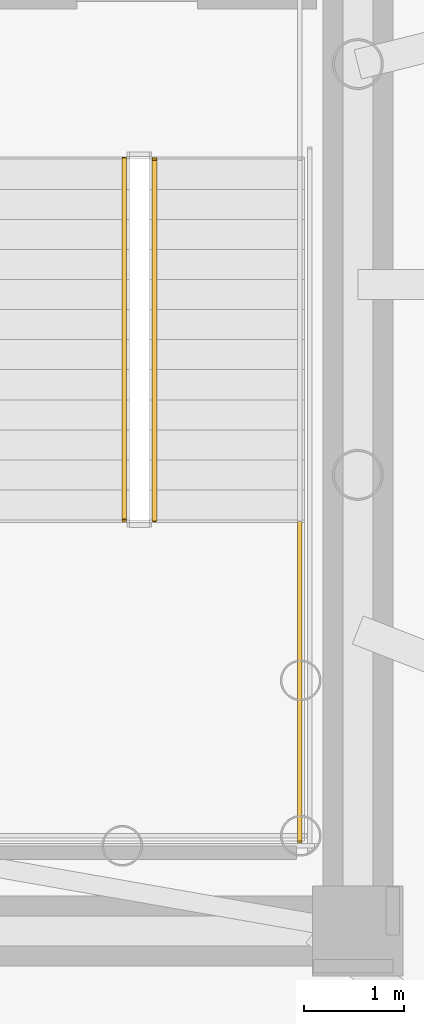
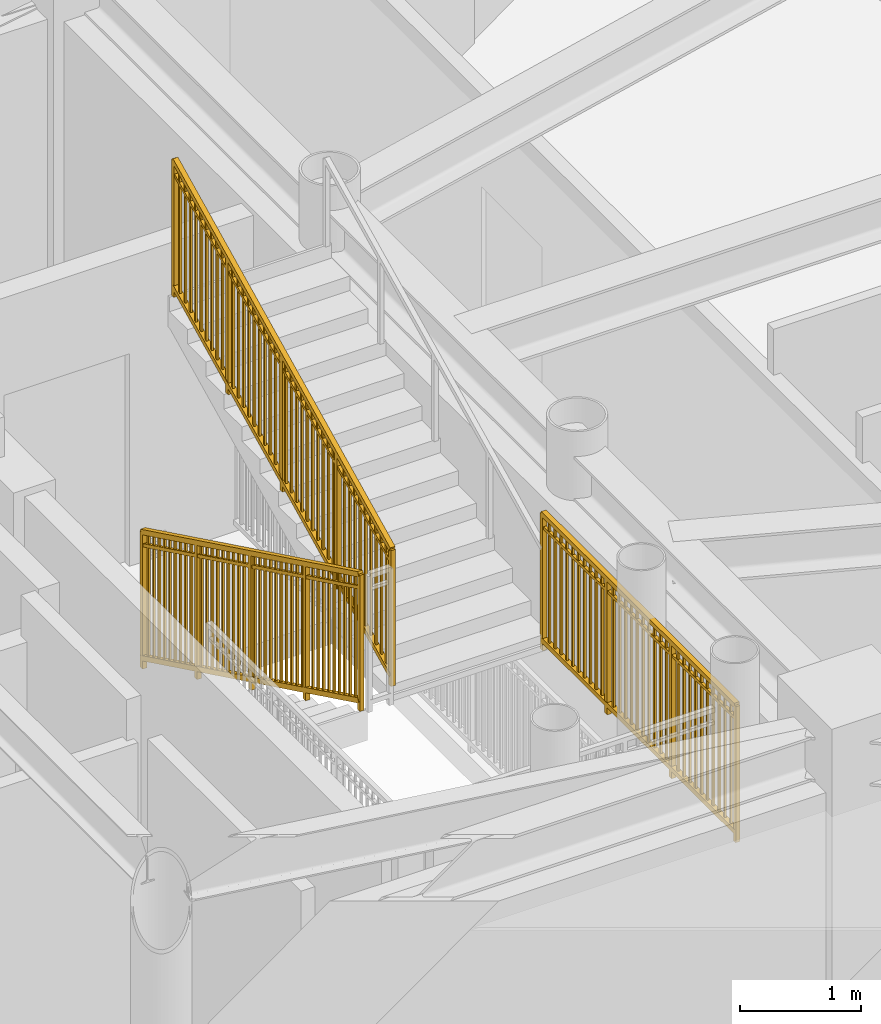
# One storey, part 13 of 17: 3 railings.
"""IFC4 building model written with IfcOpenShell, lengths in metres."""

from ifc_helpers import new_model, si_unit, direction, frame, origin, origin_2d, place, context, subcontext, project, spatial, rectangle, extrude, source, transform, mapped, material, type_object, element, save


model = new_model("IFC4")

# Units and contexts
model_context = context("Model", 3, precision=1e-05, world=origin(), true_north=direction((0.0, 1.0)))
body_context = subcontext(model_context, "Body", "Model", "MODEL_VIEW")
ifc_project = project(units=[si_unit("LENGTHUNIT", "METRE"), si_unit("AREAUNIT", "SQUARE_METRE"), si_unit("VOLUMEUNIT", "CUBIC_METRE"), si_unit("PLANEANGLEUNIT", "RADIAN"), si_unit("MASSUNIT", "GRAM", prefix="KILO")], contexts=[model_context])

# Site, building, storey
site_placement = place(None, origin())
site = spatial("IfcSite", under=ifc_project, at=site_placement, CompositionType="ELEMENT")
building_placement = place(site_placement, origin())
building = spatial("IfcBuilding", under=site, at=building_placement, Name="Linh Dai School and Residence Tower", CompositionType="ELEMENT")
storey_placement = place(building_placement, frame((0.0, 0.0, 327.800048828125)))
storey = spatial("IfcBuildingStorey", under=building, at=storey_placement, Name="L81", CompositionType="ELEMENT", Elevation=327.800048828125)

# Railings
ifc_material = material(Name="Structural Steel S355JR", Category="steel")
railing_type = type_object("IfcRailingType", Name="RL-ST-GUARD-1400", PredefinedType="GUARDRAIL", material=ifc_material)
shared_shape_1 = source(origin(), body_context, "Body", "SweptSolid", [
    extrude(rectangle(XDim=0.048095703125, YDim=0.048095703125, at=origin_2d()), frame((0.0, 0.0, 1.3759765625), z_axis=(0.0, -0.898988637874, 0.437971949985), x_axis=(1.0, 0.0, 0.0)), (0.0, 0.0, 1.0), 4.004638671875),
    extrude(rectangle(XDim=0.048095703125, YDim=0.048095703125, at=origin_2d()), frame((0.0, 0.0, 0.10009765625), z_axis=(0.0, -0.898988637874, 0.437971949985), x_axis=(1.0, 0.0, 0.0)), (0.0, 0.0, 1.0), 4.004638671875),
    extrude(rectangle(XDim=0.030029296875, YDim=0.030029296875, at=origin_2d()), frame((0.0, 0.0, 1.239990234375), z_axis=(0.0, -0.898988637874, 0.437971949985), x_axis=(1.0, 0.0, 0.0)), (0.0, 0.0, 1.0), 4.004638671875),
    extrude(rectangle(XDim=0.02001953125, YDim=0.02001953125, at=origin_2d()), frame((0.0, -0.087890625, 0.142822265625)), (0.0, 0.0, 1.0), 1.251708984375),
    extrude(rectangle(XDim=0.02001953125, YDim=0.02001953125, at=origin_2d()), frame((0.0, -0.175537109375, 0.185546875)), (0.0, 0.0, 1.0), 1.251708984375),
    extrude(rectangle(XDim=0.02001953125, YDim=0.02001953125, at=origin_2d()), frame((0.0, -0.263427734375, 0.228515625)), (0.0, 0.0, 1.0), 1.251708984375),
    extrude(rectangle(XDim=0.02001953125, YDim=0.02001953125, at=origin_2d()), frame((0.0, -0.351318359375, 0.271240234375)), (0.0, 0.0, 1.0), 1.251708984375),
    extrude(rectangle(XDim=0.02001953125, YDim=0.02001953125, at=origin_2d()), frame((0.0, -0.43896484375, 0.31396484375)), (0.0, 0.0, 1.0), 1.251708984375),
    extrude(rectangle(XDim=0.02001953125, YDim=0.02001953125, at=origin_2d()), frame((0.0, -0.52685546875, 0.356689453125)), (0.0, 0.0, 1.0), 1.251708984375),
    extrude(rectangle(XDim=0.02001953125, YDim=0.02001953125, at=origin_2d()), frame((0.0, -0.61474609375, 0.399658203125)), (0.0, 0.0, 1.0), 1.251708984375),
    extrude(rectangle(XDim=0.02001953125, YDim=0.02001953125, at=origin_2d()), frame((0.0, -0.702392578125, 0.4423828125)), (0.0, 0.0, 1.0), 1.251708984375),
    extrude(rectangle(XDim=0.02001953125, YDim=0.02001953125, at=origin_2d()), frame((0.0, -0.790283203125, 0.485107421875)), (0.0, 0.0, 1.0), 1.251708984375),
    extrude(rectangle(XDim=0.02001953125, YDim=0.02001953125, at=origin_2d()), frame((0.0, -0.9658203125, 0.570556640625)), (0.0, 0.0, 1.0), 1.251708984375),
    extrude(rectangle(XDim=0.02001953125, YDim=0.02001953125, at=origin_2d()), frame((0.0, -1.0537109375, 0.613525390625)), (0.0, 0.0, 1.0), 1.251708984375),
    extrude(rectangle(XDim=0.02001953125, YDim=0.02001953125, at=origin_2d()), frame((0.0, -1.1416015625, 0.65625)), (0.0, 0.0, 1.0), 1.251708984375),
    extrude(rectangle(XDim=0.02001953125, YDim=0.02001953125, at=origin_2d()), frame((0.0, -1.229248046875, 0.698974609375)), (0.0, 0.0, 1.0), 1.251708984375),
    extrude(rectangle(XDim=0.02001953125, YDim=0.02001953125, at=origin_2d()), frame((0.0, -1.317138671875, 0.74169921875)), (0.0, 0.0, 1.0), 1.251708984375),
    extrude(rectangle(XDim=0.02001953125, YDim=0.02001953125, at=origin_2d()), frame((0.0, -1.405029296875, 0.78466796875)), (0.0, 0.0, 1.0), 1.251708984375),
    extrude(rectangle(XDim=0.02001953125, YDim=0.02001953125, at=origin_2d()), frame((0.0, -1.49267578125, 0.827392578125)), (0.0, 0.0, 1.0), 1.251708984375),
    extrude(rectangle(XDim=0.02001953125, YDim=0.02001953125, at=origin_2d()), frame((0.0, -1.58056640625, 0.8701171875)), (0.0, 0.0, 1.0), 1.251708984375),
    extrude(rectangle(XDim=0.02001953125, YDim=0.02001953125, at=origin_2d()), frame((0.0, -1.66845703125, 0.912841796875)), (0.0, 0.0, 1.0), 1.251708984375),
    extrude(rectangle(XDim=0.02001953125, YDim=0.02001953125, at=origin_2d()), frame((0.0, -1.756103515625, 0.95556640625)), (0.0, 0.0, 1.0), 1.251708984375),
    extrude(rectangle(XDim=0.02001953125, YDim=0.02001953125, at=origin_2d()), frame((0.0, -1.843994140625, 0.99853515625)), (0.0, 0.0, 1.0), 1.251708984375),
    extrude(rectangle(XDim=0.02001953125, YDim=0.02001953125, at=origin_2d()), frame((0.0, -1.931640625, 1.041259765625)), (0.0, 0.0, 1.0), 1.251708984375),
    extrude(rectangle(XDim=0.02001953125, YDim=0.02001953125, at=origin_2d()), frame((0.0, -2.01953125, 1.083984375)), (0.0, 0.0, 1.0), 1.251708984375),
    extrude(rectangle(XDim=0.02001953125, YDim=0.02001953125, at=origin_2d()), frame((0.0, -2.107421875, 1.126708984375)), (0.0, 0.0, 1.0), 1.251708984375),
    extrude(rectangle(XDim=0.02001953125, YDim=0.02001953125, at=origin_2d()), frame((0.0, -2.195068359375, 1.16943359375)), (0.0, 0.0, 1.0), 1.251708984375),
    extrude(rectangle(XDim=0.02001953125, YDim=0.02001953125, at=origin_2d()), frame((0.0, -2.282958984375, 1.21240234375)), (0.0, 0.0, 1.0), 1.251708984375),
    extrude(rectangle(XDim=0.02001953125, YDim=0.02001953125, at=origin_2d()), frame((0.0, -2.370849609375, 1.255126953125)), (0.0, 0.0, 1.0), 1.251708984375),
    extrude(rectangle(XDim=0.02001953125, YDim=0.02001953125, at=origin_2d()), frame((0.0, -2.45849609375, 1.2978515625)), (0.0, 0.0, 1.0), 1.251708984375),
    extrude(rectangle(XDim=0.02001953125, YDim=0.02001953125, at=origin_2d()), frame((0.0, -2.54638671875, 1.340576171875)), (0.0, 0.0, 1.0), 1.251708984375),
    extrude(rectangle(XDim=0.02001953125, YDim=0.02001953125, at=origin_2d()), frame((0.0, -2.63427734375, 1.383544921875)), (0.0, 0.0, 1.0), 1.251708984375),
    extrude(rectangle(XDim=0.02001953125, YDim=0.02001953125, at=origin_2d()), frame((0.0, -2.809814453125, 1.468994140625)), (0.0, 0.0, 1.0), 1.251708984375),
    extrude(rectangle(XDim=0.02001953125, YDim=0.02001953125, at=origin_2d()), frame((0.0, -2.897705078125, 1.51171875)), (0.0, 0.0, 1.0), 1.251708984375),
    extrude(rectangle(XDim=0.02001953125, YDim=0.02001953125, at=origin_2d()), frame((0.0, -2.9853515625, 1.554443359375)), (0.0, 0.0, 1.0), 1.251708984375),
    extrude(rectangle(XDim=0.02001953125, YDim=0.02001953125, at=origin_2d()), frame((0.0, -3.0732421875, 1.597412109375)), (0.0, 0.0, 1.0), 1.251708984375),
    extrude(rectangle(XDim=0.02001953125, YDim=0.02001953125, at=origin_2d()), frame((0.0, -3.1611328125, 1.64013671875)), (0.0, 0.0, 1.0), 1.251708984375),
    extrude(rectangle(XDim=0.02001953125, YDim=0.02001953125, at=origin_2d()), frame((0.0, -3.248779296875, 1.682861328125)), (0.0, 0.0, 1.0), 1.251708984375),
    extrude(rectangle(XDim=0.02001953125, YDim=0.02001953125, at=origin_2d()), frame((0.0, -3.336669921875, 1.7255859375)), (0.0, 0.0, 1.0), 1.251708984375),
    extrude(rectangle(XDim=0.02001953125, YDim=0.02001953125, at=origin_2d()), frame((0.0, -3.424560546875, 1.7685546875)), (0.0, 0.0, 1.0), 1.251708984375),
    extrude(rectangle(XDim=0.02001953125, YDim=0.02001953125, at=origin_2d()), frame((0.0, -3.51220703125, 1.811279296875)), (0.0, 0.0, 1.0), 1.251708984375),
    extrude(rectangle(XDim=0.0419921875, YDim=0.0419921875, at=origin_2d()), origin(), (0.0, 0.0, 1.0), 1.3759765625),
    extrude(rectangle(XDim=0.0419921875, YDim=0.0419921875, at=origin_2d()), frame((0.0, -0.89990234375, 0.4384765625)), (0.0, 0.0, 1.0), 1.3759765625),
    extrude(rectangle(XDim=0.0419921875, YDim=0.0419921875, at=origin_2d()), frame((0.0, -1.800048828125, 0.876953125)), (0.0, 0.0, 1.0), 1.3759765625),
    extrude(rectangle(XDim=0.0419921875, YDim=0.0419921875, at=origin_2d()), frame((0.0, -2.7001953125, 1.3154296875)), (0.0, 0.0, 1.0), 1.3759765625),
    extrude(rectangle(XDim=0.0419921875, YDim=0.0419921875, at=origin_2d()), frame((0.0, -3.60009765625, 1.75390625)), (0.0, 0.0, 1.0), 1.3759765625),
])
railing_1_placement = place(storey_placement, frame((42.52001953125, 28.25, 0.14599609375)))
element("IfcRailing", 1, at=railing_1_placement, inside=storey, type_object=railing_type, Name="L81 ST2 stair guard 1", PredefinedType="GUARDRAIL", context=body_context, shape_type="MappedRepresentation", body=[
    mapped(shared_shape_1, transform((0.0, 0.0, 0.0), x_axis=(1.0, 0.0, 0.0), y_axis=(0.0, 1.0, 0.0), z_axis=(0.0, 0.0, 1.0), scale=1.0)),
])
shared_shape_2 = source(origin(), body_context, "Body", "SweptSolid", [
    extrude(rectangle(XDim=0.048095703125, YDim=0.048095703125, at=origin_2d()), frame((0.0, 0.0, 1.3759765625), z_axis=(0.0, 0.898988637874, 0.437971949985), x_axis=(-1.0, 0.0, 0.0)), (0.0, 0.0, 1.0), 4.004638671875),
    extrude(rectangle(XDim=0.048095703125, YDim=0.048095703125, at=origin_2d()), frame((0.0, 0.0, 0.10009765625), z_axis=(0.0, 0.898988637874, 0.437971949985), x_axis=(-1.0, 0.0, 0.0)), (0.0, 0.0, 1.0), 4.004638671875),
    extrude(rectangle(XDim=0.030029296875, YDim=0.030029296875, at=origin_2d()), frame((0.0, 0.0, 1.239990234375), z_axis=(0.0, 0.898988637874, 0.437971949985), x_axis=(-1.0, 0.0, 0.0)), (0.0, 0.0, 1.0), 4.004638671875),
    extrude(rectangle(XDim=0.02001953125, YDim=0.02001953125, at=origin_2d()), frame((0.0, 0.087890625, 0.142822265625)), (0.0, 0.0, 1.0), 1.251708984375),
    extrude(rectangle(XDim=0.02001953125, YDim=0.02001953125, at=origin_2d()), frame((0.0, 0.175537109375, 0.185546875)), (0.0, 0.0, 1.0), 1.251708984375),
    extrude(rectangle(XDim=0.02001953125, YDim=0.02001953125, at=origin_2d()), frame((0.0, 0.263427734375, 0.228515625)), (0.0, 0.0, 1.0), 1.251708984375),
    extrude(rectangle(XDim=0.02001953125, YDim=0.02001953125, at=origin_2d()), frame((0.0, 0.351318359375, 0.271240234375)), (0.0, 0.0, 1.0), 1.251708984375),
    extrude(rectangle(XDim=0.02001953125, YDim=0.02001953125, at=origin_2d()), frame((0.0, 0.43896484375, 0.31396484375)), (0.0, 0.0, 1.0), 1.251708984375),
    extrude(rectangle(XDim=0.02001953125, YDim=0.02001953125, at=origin_2d()), frame((0.0, 0.52685546875, 0.356689453125)), (0.0, 0.0, 1.0), 1.251708984375),
    extrude(rectangle(XDim=0.02001953125, YDim=0.02001953125, at=origin_2d()), frame((0.0, 0.61474609375, 0.399658203125)), (0.0, 0.0, 1.0), 1.251708984375),
    extrude(rectangle(XDim=0.02001953125, YDim=0.02001953125, at=origin_2d()), frame((0.0, 0.702392578125, 0.4423828125)), (0.0, 0.0, 1.0), 1.251708984375),
    extrude(rectangle(XDim=0.02001953125, YDim=0.02001953125, at=origin_2d()), frame((0.0, 0.790283203125, 0.485107421875)), (0.0, 0.0, 1.0), 1.251708984375),
    extrude(rectangle(XDim=0.02001953125, YDim=0.02001953125, at=origin_2d()), frame((0.0, 0.9658203125, 0.570556640625)), (0.0, 0.0, 1.0), 1.251708984375),
    extrude(rectangle(XDim=0.02001953125, YDim=0.02001953125, at=origin_2d()), frame((0.0, 1.0537109375, 0.613525390625)), (0.0, 0.0, 1.0), 1.251708984375),
    extrude(rectangle(XDim=0.02001953125, YDim=0.02001953125, at=origin_2d()), frame((0.0, 1.1416015625, 0.65625)), (0.0, 0.0, 1.0), 1.251708984375),
    extrude(rectangle(XDim=0.02001953125, YDim=0.02001953125, at=origin_2d()), frame((0.0, 1.229248046875, 0.698974609375)), (0.0, 0.0, 1.0), 1.251708984375),
    extrude(rectangle(XDim=0.02001953125, YDim=0.02001953125, at=origin_2d()), frame((0.0, 1.317138671875, 0.74169921875)), (0.0, 0.0, 1.0), 1.251708984375),
    extrude(rectangle(XDim=0.02001953125, YDim=0.02001953125, at=origin_2d()), frame((0.0, 1.405029296875, 0.78466796875)), (0.0, 0.0, 1.0), 1.251708984375),
    extrude(rectangle(XDim=0.02001953125, YDim=0.02001953125, at=origin_2d()), frame((0.0, 1.49267578125, 0.827392578125)), (0.0, 0.0, 1.0), 1.251708984375),
    extrude(rectangle(XDim=0.02001953125, YDim=0.02001953125, at=origin_2d()), frame((0.0, 1.58056640625, 0.8701171875)), (0.0, 0.0, 1.0), 1.251708984375),
    extrude(rectangle(XDim=0.02001953125, YDim=0.02001953125, at=origin_2d()), frame((0.0, 1.66845703125, 0.912841796875)), (0.0, 0.0, 1.0), 1.251708984375),
    extrude(rectangle(XDim=0.02001953125, YDim=0.02001953125, at=origin_2d()), frame((0.0, 1.756103515625, 0.95556640625)), (0.0, 0.0, 1.0), 1.251708984375),
    extrude(rectangle(XDim=0.02001953125, YDim=0.02001953125, at=origin_2d()), frame((0.0, 1.843994140625, 0.99853515625)), (0.0, 0.0, 1.0), 1.251708984375),
    extrude(rectangle(XDim=0.02001953125, YDim=0.02001953125, at=origin_2d()), frame((0.0, 1.931640625, 1.041259765625)), (0.0, 0.0, 1.0), 1.251708984375),
    extrude(rectangle(XDim=0.02001953125, YDim=0.02001953125, at=origin_2d()), frame((0.0, 2.01953125, 1.083984375)), (0.0, 0.0, 1.0), 1.251708984375),
    extrude(rectangle(XDim=0.02001953125, YDim=0.02001953125, at=origin_2d()), frame((0.0, 2.107421875, 1.126708984375)), (0.0, 0.0, 1.0), 1.251708984375),
    extrude(rectangle(XDim=0.02001953125, YDim=0.02001953125, at=origin_2d()), frame((0.0, 2.195068359375, 1.16943359375)), (0.0, 0.0, 1.0), 1.251708984375),
    extrude(rectangle(XDim=0.02001953125, YDim=0.02001953125, at=origin_2d()), frame((0.0, 2.282958984375, 1.21240234375)), (0.0, 0.0, 1.0), 1.251708984375),
    extrude(rectangle(XDim=0.02001953125, YDim=0.02001953125, at=origin_2d()), frame((0.0, 2.370849609375, 1.255126953125)), (0.0, 0.0, 1.0), 1.251708984375),
    extrude(rectangle(XDim=0.02001953125, YDim=0.02001953125, at=origin_2d()), frame((0.0, 2.45849609375, 1.2978515625)), (0.0, 0.0, 1.0), 1.251708984375),
    extrude(rectangle(XDim=0.02001953125, YDim=0.02001953125, at=origin_2d()), frame((0.0, 2.54638671875, 1.340576171875)), (0.0, 0.0, 1.0), 1.251708984375),
    extrude(rectangle(XDim=0.02001953125, YDim=0.02001953125, at=origin_2d()), frame((0.0, 2.63427734375, 1.383544921875)), (0.0, 0.0, 1.0), 1.251708984375),
    extrude(rectangle(XDim=0.02001953125, YDim=0.02001953125, at=origin_2d()), frame((0.0, 2.809814453125, 1.468994140625)), (0.0, 0.0, 1.0), 1.251708984375),
    extrude(rectangle(XDim=0.02001953125, YDim=0.02001953125, at=origin_2d()), frame((0.0, 2.897705078125, 1.51171875)), (0.0, 0.0, 1.0), 1.251708984375),
    extrude(rectangle(XDim=0.02001953125, YDim=0.02001953125, at=origin_2d()), frame((0.0, 2.9853515625, 1.554443359375)), (0.0, 0.0, 1.0), 1.251708984375),
    extrude(rectangle(XDim=0.02001953125, YDim=0.02001953125, at=origin_2d()), frame((0.0, 3.0732421875, 1.597412109375)), (0.0, 0.0, 1.0), 1.251708984375),
    extrude(rectangle(XDim=0.02001953125, YDim=0.02001953125, at=origin_2d()), frame((0.0, 3.1611328125, 1.64013671875)), (0.0, 0.0, 1.0), 1.251708984375),
    extrude(rectangle(XDim=0.02001953125, YDim=0.02001953125, at=origin_2d()), frame((0.0, 3.248779296875, 1.682861328125)), (0.0, 0.0, 1.0), 1.251708984375),
    extrude(rectangle(XDim=0.02001953125, YDim=0.02001953125, at=origin_2d()), frame((0.0, 3.336669921875, 1.7255859375)), (0.0, 0.0, 1.0), 1.251708984375),
    extrude(rectangle(XDim=0.02001953125, YDim=0.02001953125, at=origin_2d()), frame((0.0, 3.424560546875, 1.7685546875)), (0.0, 0.0, 1.0), 1.251708984375),
    extrude(rectangle(XDim=0.02001953125, YDim=0.02001953125, at=origin_2d()), frame((0.0, 3.51220703125, 1.811279296875)), (0.0, 0.0, 1.0), 1.251708984375),
    extrude(rectangle(XDim=0.0419921875, YDim=0.0419921875, at=origin_2d()), origin(), (0.0, 0.0, 1.0), 1.3759765625),
    extrude(rectangle(XDim=0.0419921875, YDim=0.0419921875, at=origin_2d()), frame((0.0, 0.89990234375, 0.4384765625)), (0.0, 0.0, 1.0), 1.3759765625),
    extrude(rectangle(XDim=0.0419921875, YDim=0.0419921875, at=origin_2d()), frame((0.0, 1.800048828125, 0.876953125)), (0.0, 0.0, 1.0), 1.3759765625),
    extrude(rectangle(XDim=0.0419921875, YDim=0.0419921875, at=origin_2d()), frame((0.0, 2.7001953125, 1.3154296875)), (0.0, 0.0, 1.0), 1.3759765625),
    extrude(rectangle(XDim=0.0419921875, YDim=0.0419921875, at=origin_2d()), frame((0.0, 3.60009765625, 1.75390625)), (0.0, 0.0, 1.0), 1.3759765625),
])
railing_2_placement = place(storey_placement, frame((42.820068359375, 24.64990234375, 2.046142578125)))
element("IfcRailing", 2, at=railing_2_placement, inside=storey, type_object=railing_type, Name="L81 ST2 stair guard 6", PredefinedType="GUARDRAIL", context=body_context, shape_type="MappedRepresentation", body=[
    mapped(shared_shape_2, transform((0.0, 0.0, 0.0), x_axis=(1.0, 0.0, 0.0), y_axis=(0.0, 1.0, 0.0), z_axis=(0.0, 0.0, 1.0), scale=1.0)),
])
shared_shape_3 = source(origin(), body_context, "Body", "SweptSolid", [
    extrude(rectangle(XDim=0.048095703125, YDim=0.048095703125, at=origin_2d()), frame((0.0, 0.0, 1.3759765625), z_axis=(0.0, -1.0, 0.0), x_axis=(1.0, 0.0, 0.0)), (0.0, 0.0, 1.0), 3.199951171875),
    extrude(rectangle(XDim=0.048095703125, YDim=0.048095703125, at=origin_2d()), frame((0.0, 0.0, 0.10009765625), z_axis=(0.0, -1.0, 0.0), x_axis=(1.0, 0.0, 0.0)), (0.0, 0.0, 1.0), 3.199951171875),
    extrude(rectangle(XDim=0.030029296875, YDim=0.030029296875, at=origin_2d()), frame((0.0, 0.0, 1.239990234375), z_axis=(0.0, -1.0, 0.0), x_axis=(1.0, 0.0, 0.0)), (0.0, 0.0, 1.0), 3.199951171875),
    extrude(rectangle(XDim=0.02001953125, YDim=0.02001953125, at=origin_2d()), frame((0.0, -0.096923828125, 0.10009765625)), (0.0, 0.0, 1.0), 1.251708984375),
    extrude(rectangle(XDim=0.02001953125, YDim=0.02001953125, at=origin_2d()), frame((0.0, -0.19384765625, 0.10009765625)), (0.0, 0.0, 1.0), 1.251708984375),
    extrude(rectangle(XDim=0.02001953125, YDim=0.02001953125, at=origin_2d()), frame((0.0, -0.291015625, 0.10009765625)), (0.0, 0.0, 1.0), 1.251708984375),
    extrude(rectangle(XDim=0.02001953125, YDim=0.02001953125, at=origin_2d()), frame((0.0, -0.387939453125, 0.10009765625)), (0.0, 0.0, 1.0), 1.251708984375),
    extrude(rectangle(XDim=0.02001953125, YDim=0.02001953125, at=origin_2d()), frame((0.0, -0.48486328125, 0.10009765625)), (0.0, 0.0, 1.0), 1.251708984375),
    extrude(rectangle(XDim=0.02001953125, YDim=0.02001953125, at=origin_2d()), frame((0.0, -0.581787109375, 0.10009765625)), (0.0, 0.0, 1.0), 1.251708984375),
    extrude(rectangle(XDim=0.02001953125, YDim=0.02001953125, at=origin_2d()), frame((0.0, -0.6787109375, 0.10009765625)), (0.0, 0.0, 1.0), 1.251708984375),
    extrude(rectangle(XDim=0.02001953125, YDim=0.02001953125, at=origin_2d()), frame((0.0, -0.775634765625, 0.10009765625)), (0.0, 0.0, 1.0), 1.251708984375),
    extrude(rectangle(XDim=0.02001953125, YDim=0.02001953125, at=origin_2d()), frame((0.0, -0.872802734375, 0.10009765625)), (0.0, 0.0, 1.0), 1.251708984375),
    extrude(rectangle(XDim=0.02001953125, YDim=0.02001953125, at=origin_2d()), frame((0.0, -0.9697265625, 0.10009765625)), (0.0, 0.0, 1.0), 1.251708984375),
    extrude(rectangle(XDim=0.02001953125, YDim=0.02001953125, at=origin_2d()), frame((0.0, -1.16357421875, 0.10009765625)), (0.0, 0.0, 1.0), 1.251708984375),
    extrude(rectangle(XDim=0.02001953125, YDim=0.02001953125, at=origin_2d()), frame((0.0, -1.260498046875, 0.10009765625)), (0.0, 0.0, 1.0), 1.251708984375),
    extrude(rectangle(XDim=0.02001953125, YDim=0.02001953125, at=origin_2d()), frame((0.0, -1.357666015625, 0.10009765625)), (0.0, 0.0, 1.0), 1.251708984375),
    extrude(rectangle(XDim=0.02001953125, YDim=0.02001953125, at=origin_2d()), frame((0.0, -1.45458984375, 0.10009765625)), (0.0, 0.0, 1.0), 1.251708984375),
    extrude(rectangle(XDim=0.02001953125, YDim=0.02001953125, at=origin_2d()), frame((0.0, -1.551513671875, 0.10009765625)), (0.0, 0.0, 1.0), 1.251708984375),
    extrude(rectangle(XDim=0.02001953125, YDim=0.02001953125, at=origin_2d()), frame((0.0, -1.6484375, 0.10009765625)), (0.0, 0.0, 1.0), 1.251708984375),
    extrude(rectangle(XDim=0.02001953125, YDim=0.02001953125, at=origin_2d()), frame((0.0, -1.745361328125, 0.10009765625)), (0.0, 0.0, 1.0), 1.251708984375),
    extrude(rectangle(XDim=0.02001953125, YDim=0.02001953125, at=origin_2d()), frame((0.0, -1.84228515625, 0.10009765625)), (0.0, 0.0, 1.0), 1.251708984375),
    extrude(rectangle(XDim=0.02001953125, YDim=0.02001953125, at=origin_2d()), frame((0.0, -1.939453125, 0.10009765625)), (0.0, 0.0, 1.0), 1.251708984375),
    extrude(rectangle(XDim=0.02001953125, YDim=0.02001953125, at=origin_2d()), frame((0.0, -2.036376953125, 0.10009765625)), (0.0, 0.0, 1.0), 1.251708984375),
    extrude(rectangle(XDim=0.02001953125, YDim=0.02001953125, at=origin_2d()), frame((0.0, -2.230224609375, 0.10009765625)), (0.0, 0.0, 1.0), 1.251708984375),
    extrude(rectangle(XDim=0.02001953125, YDim=0.02001953125, at=origin_2d()), frame((0.0, -2.3271484375, 0.10009765625)), (0.0, 0.0, 1.0), 1.251708984375),
    extrude(rectangle(XDim=0.02001953125, YDim=0.02001953125, at=origin_2d()), frame((0.0, -2.42431640625, 0.10009765625)), (0.0, 0.0, 1.0), 1.251708984375),
    extrude(rectangle(XDim=0.02001953125, YDim=0.02001953125, at=origin_2d()), frame((0.0, -2.521240234375, 0.10009765625)), (0.0, 0.0, 1.0), 1.251708984375),
    extrude(rectangle(XDim=0.02001953125, YDim=0.02001953125, at=origin_2d()), frame((0.0, -2.6181640625, 0.10009765625)), (0.0, 0.0, 1.0), 1.251708984375),
    extrude(rectangle(XDim=0.02001953125, YDim=0.02001953125, at=origin_2d()), frame((0.0, -2.715087890625, 0.10009765625)), (0.0, 0.0, 1.0), 1.251708984375),
    extrude(rectangle(XDim=0.02001953125, YDim=0.02001953125, at=origin_2d()), frame((0.0, -2.81201171875, 0.10009765625)), (0.0, 0.0, 1.0), 1.251708984375),
    extrude(rectangle(XDim=0.02001953125, YDim=0.02001953125, at=origin_2d()), frame((0.0, -2.908935546875, 0.10009765625)), (0.0, 0.0, 1.0), 1.251708984375),
    extrude(rectangle(XDim=0.02001953125, YDim=0.02001953125, at=origin_2d()), frame((0.0, -3.006103515625, 0.10009765625)), (0.0, 0.0, 1.0), 1.251708984375),
    extrude(rectangle(XDim=0.02001953125, YDim=0.02001953125, at=origin_2d()), frame((0.0, -3.10302734375, 0.10009765625)), (0.0, 0.0, 1.0), 1.251708984375),
    extrude(rectangle(XDim=0.0419921875, YDim=0.0419921875, at=origin_2d()), origin(), (0.0, 0.0, 1.0), 1.3759765625),
    extrude(rectangle(XDim=0.0419921875, YDim=0.0419921875, at=origin_2d()), frame((0.0, -1.066650390625, 0.0)), (0.0, 0.0, 1.0), 1.3759765625),
    extrude(rectangle(XDim=0.0419921875, YDim=0.0419921875, at=origin_2d()), frame((0.0, -2.13330078125, 0.0)), (0.0, 0.0, 1.0), 1.3759765625),
    extrude(rectangle(XDim=0.0419921875, YDim=0.0419921875, at=origin_2d()), frame((0.0, -3.199951171875, 0.0)), (0.0, 0.0, 1.0), 1.3759765625),
])
railing_3_placement = place(storey_placement, frame((44.27001953125, 24.64990234375, 1.89990234375)))
element("IfcRailing", 3, at=railing_3_placement, inside=storey, type_object=railing_type, Name="L81 ST2 stair guard 4", PredefinedType="GUARDRAIL", context=body_context, shape_type="MappedRepresentation", body=[
    mapped(shared_shape_3, transform((0.0, 0.0, 0.0), x_axis=(1.0, 0.0, 0.0), y_axis=(0.0, 1.0, 0.0), z_axis=(0.0, 0.0, 1.0), scale=1.0)),
])

save(model, "model.ifc")
